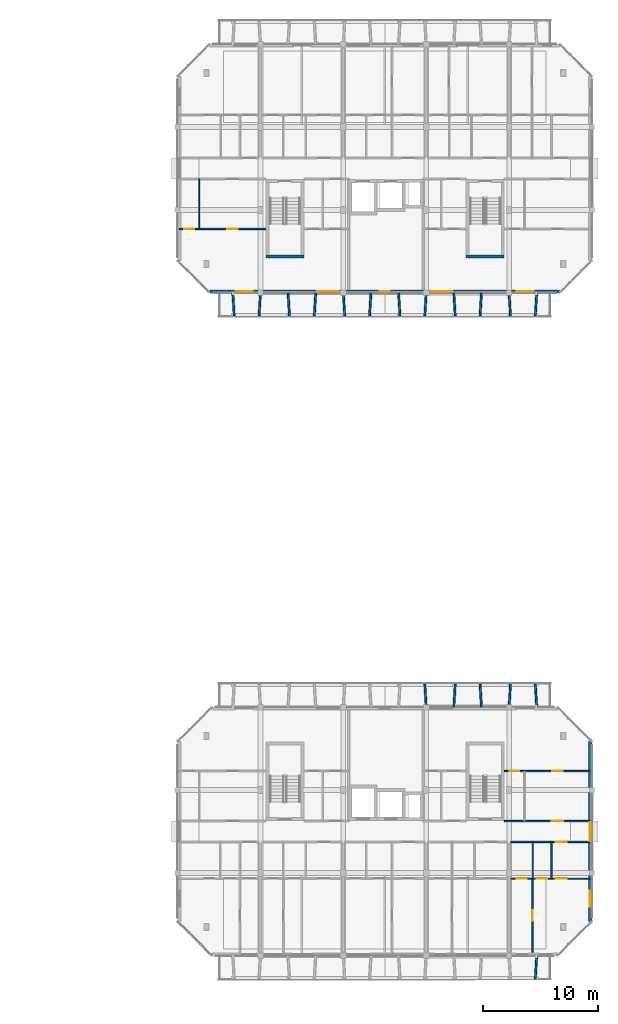
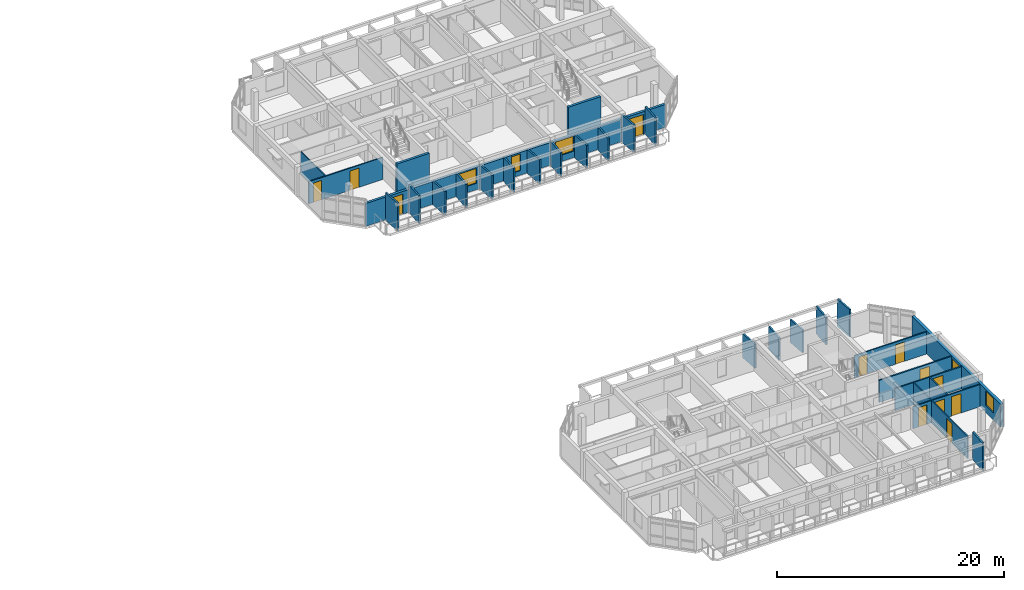
# One storey, part 18 of 30: 31 walls, 12 doors, 5 windows, 17 openings.
"""IFC4 building model written with IfcOpenShell, lengths in metres."""

from ifc_helpers import new_model, si_unit, direction, frame, frame_2d, origin, place, context, subcontext, project, spatial, rectangle, extrude, material, layer, layer_set, type_object, element, fill, save


model = new_model("IFC4")

# Units and contexts
model_context = context("Model", 3, precision=1e-05, world=origin(), true_north=direction((0.0, 1.0)))
body_context = subcontext(model_context, "Body", "Model", "MODEL_VIEW")
ifc_project = project(units=[si_unit("LENGTHUNIT", "METRE"), si_unit("AREAUNIT", "SQUARE_METRE"), si_unit("VOLUMEUNIT", "CUBIC_METRE"), si_unit("PLANEANGLEUNIT", "RADIAN"), si_unit("MASSUNIT", "GRAM", prefix="KILO")], contexts=[model_context])

# Site, building, storey
site_placement = place(None, origin())
site = spatial("IfcSite", under=ifc_project, at=site_placement, CompositionType="ELEMENT")
building_placement = place(site_placement, origin())
building = spatial("IfcBuilding", under=site, at=building_placement, Name="Ochrevale Crest", CompositionType="ELEMENT")
storey_placement = place(building_placement, frame((0.0, 0.0, 33.89990234375)))
storey = spatial("IfcBuildingStorey", under=building, at=storey_placement, Name="L10", CompositionType="ELEMENT", Elevation=33.89990234375)

# Wall, opening, door
ifc_material_1 = material(Name="Gypsum plasterboard", Category="gypsum")
ifc_layer_1 = layer(ifc_material_1, 0.139892578125)
ifc_layer_set_1 = layer_set([ifc_layer_1], Name="Gypsum plasterboard")
wall_type_1 = type_object("IfcWallType", Name="WL-COR-140", PredefinedType="PARTITIONING", material=ifc_layer_set_1)
wall_1_placement = place(storey_placement, frame((158.5400390625, 24.300048828125, 0.0), z_axis=(0.0, 0.0, 1.0), x_axis=(1.0, 0.0, 0.0)))
wall_1 = element("IfcWall", 1, at=wall_1_placement, inside=storey, type_object=wall_type_1, Name="Apartment C-L10-U5 corridor wall", PredefinedType="PARTITIONING", context=body_context, shape_type="SweptSolid", body=[
    extrude(rectangle(XDim=6.919921875, YDim=0.139892578125, at=frame_2d((3.4599609375, 0.0))), origin(), (0.0, 0.0, 1.0), 2.380126953125),
])
opening_1_placement = place(wall_1_placement, frame((3.89501953125, 0.0, 0.0)))
opening_1 = element("IfcOpeningElement", 2, at=opening_1_placement, cuts=wall_1, Name="Opening FD01", PredefinedType="OPENING", context=body_context, shape_type="SweptSolid", body=[
    extrude(rectangle(XDim=0.97998046875, YDim=2.10009765625, at=frame_2d((0.489990234375, 1.050048828125))), frame((0.0, 0.080078125, 0.0), z_axis=(0.0, -1.0, 0.0), x_axis=(1.0, 0.0, 0.0)), (0.0, 0.0, 1.0), 0.159912109375),
])
ifc_material_2 = material(Name="Solid-core FSC hardwood", Category="wood")
door_type_1 = type_object("IfcDoorType", Name="DR-APT-950", OperationType="NOTDEFINED", PredefinedType="DOOR", material=ifc_material_2)
door_1_placement = place(opening_1_placement, origin())
door_1 = element("IfcDoor", 3, at=door_1_placement, inside=storey, type_object=door_type_1, Name="Apartment C-L10-U5 entrance door", OperationType="SINGLE_SWING_LEFT", OverallHeight=2.10009765625, OverallWidth=0.97998046875, PredefinedType="DOOR", context=body_context, shape_type="SweptSolid", body=[
    extrude(rectangle(XDim=0.97998046875, YDim=2.10009765625, at=frame_2d((0.489990234375, 1.050048828125))), frame((0.0, 0.02490234375, 0.0), z_axis=(0.0, -1.0, 0.0), x_axis=(1.0, 0.0, 0.0)), (0.0, 0.0, 1.0), 0.050048828125),
])
fill(opening_1, door_1)

wall_2_placement = place(storey_placement, frame((157.989990234375, 26.10009765625, 0.0), z_axis=(0.0, 0.0, 1.0), x_axis=(1.0, 0.0, 0.0)))
wall_2 = element("IfcWall", 4, at=wall_2_placement, inside=storey, type_object=wall_type_1, Name="Suite C-L10-CE corridor wall", PredefinedType="PARTITIONING", context=body_context, shape_type="SweptSolid", body=[
    extrude(rectangle(XDim=7.469970703125, YDim=0.139892578125, at=frame_2d((3.73486328125, 0.0))), origin(), (0.0, 0.0, 1.0), 2.380126953125),
])
opening_2_placement = place(wall_2_placement, frame((4.1201171875, 0.0, 0.0)))
opening_2 = element("IfcOpeningElement", 5, at=opening_2_placement, cuts=wall_2, Name="Opening FD01", PredefinedType="OPENING", context=body_context, shape_type="SweptSolid", body=[
    extrude(rectangle(XDim=0.97998046875, YDim=2.10009765625, at=frame_2d((0.489990234375, 1.050048828125))), frame((0.0, 0.080078125, 0.0), z_axis=(0.0, -1.0, 0.0), x_axis=(1.0, 0.0, 0.0)), (0.0, 0.0, 1.0), 0.159912109375),
])
door_2_placement = place(opening_2_placement, origin())
door_2 = element("IfcDoor", 6, at=door_2_placement, inside=storey, type_object=door_type_1, Name="Suite C-L10-CE entrance door", OperationType="SINGLE_SWING_LEFT", OverallHeight=2.10009765625, OverallWidth=0.97998046875, PredefinedType="DOOR", context=body_context, shape_type="SweptSolid", body=[
    extrude(rectangle(XDim=0.97998046875, YDim=2.10009765625, at=frame_2d((0.489990234375, 1.050048828125))), frame((0.0, 0.02490234375, 0.0), z_axis=(0.0, -1.0, 0.0), x_axis=(1.0, 0.0, 0.0)), (0.0, 0.0, 1.0), 0.050048828125),
])
fill(opening_2, door_2)

# Walls
ifc_material_3 = material(Name="Precast concrete C50/60", Category="concrete")
ifc_layer_2 = layer(ifc_material_3, 0.2548828125)
ifc_layer_set_2 = layer_set([ifc_layer_2], Name="Precast concrete C50/60")
wall_type_2 = type_object("IfcWallType", Name="WL-CORE-255", PredefinedType="SHEAR", material=ifc_layer_set_2)
for number, where, z_axis, x_axis, name in (
    (7, (137.2724609375, 75.14990234375, 0.0), (0.0, 0.0, 1.0), (1.0, 0.0, 0.0), "Block D L10 Stair 1 precast core shear wall S"),
    (8, (154.672607421875, 75.14990234375, 0.0), (0.0, 0.0, 1.0), (1.0, 0.0, 0.0), "Block D L10 Stair 2 precast core shear wall S"),
):
    element("IfcWall", number, at=place(storey_placement, frame(where, z_axis=z_axis, x_axis=x_axis)), inside=storey, type_object=wall_type_2, Name=name, PredefinedType="SHEAR", context=body_context, shape_type="SweptSolid", body=[
        extrude(rectangle(XDim=3.304931640625, YDim=0.2548828125, at=frame_2d((1.65234375, 0.0))), origin(), (0.0, 0.0, 1.0), 3.150146484375),
    ])

# Wall, openings, windows
ifc_material_4 = material(Name="Clay face brickwork", Category="masonry")
ifc_layer_3 = layer(ifc_material_4, 0.2900390625)
ifc_layer_set_3 = layer_set([ifc_layer_3], Name="Clay face brickwork")
wall_type_3 = type_object("IfcWallType", Name="WL-EXT-BRICK-290", PredefinedType="SOLIDWALL", material=ifc_layer_set_3)
wall_3_placement = place(storey_placement, frame((165.455078125, 17.39990234375, 0.0), z_axis=(0.0, 0.0, 1.0), x_axis=(0.0, 1.0, 0.0)))
wall_3 = element("IfcWall", 9, at=wall_3_placement, inside=storey, type_object=wall_type_3, Name="Block C L10 external facade wall E3", PredefinedType="SOLIDWALL", context=body_context, shape_type="SweptSolid", body=[
    extrude(rectangle(XDim=15.60009765625, YDim=0.2900390625, at=frame_2d((7.800048828125, 0.0))), origin(), (0.0, 0.0, 1.0), 2.47998046875),
])
opening_3_placement = place(wall_3_placement, frame((6.97509765625, 0.0, 1.050048828125)))
opening_3 = element("IfcOpeningElement", 10, at=opening_3_placement, cuts=wall_3, Name="Opening W19", PredefinedType="OPENING", context=body_context, shape_type="SweptSolid", body=[
    extrude(rectangle(XDim=1.64990234375, YDim=1.14990234375, at=frame_2d((0.824951171875, 0.574951171875))), frame((0.0, 0.155029296875, 0.0), z_axis=(0.0, -1.0, 0.0), x_axis=(1.0, 0.0, 0.0)), (0.0, 0.0, 1.0), 0.31005859375),
])
opening_4_placement = place(wall_3_placement, frame((1.2548828125, 0.0, 0.75)))
opening_4 = element("IfcOpeningElement", 11, at=opening_4_placement, cuts=wall_3, Name="Opening W31", PredefinedType="OPENING", context=body_context, shape_type="SweptSolid", body=[
    extrude(rectangle(XDim=1.419921875, YDim=1.60009765625, at=frame_2d((0.7099609375, 0.800048828125))), frame((0.0, 0.155029296875, 0.0), z_axis=(0.0, -1.0, 0.0), x_axis=(1.0, 0.0, 0.0)), (0.0, 0.0, 1.0), 0.31005859375),
])
ifc_material_5 = material(Name="Anodised aluminium 6063-T5 and low-E double glazing", Category="aluminium")
window_type_1 = type_object("IfcWindowType", Name="WIN-W19", PartitioningType="SINGLE_PANEL", PredefinedType="WINDOW", material=ifc_material_5)
window_1_placement = place(opening_3_placement, origin())
window_1 = element("IfcWindow", 12, at=window_1_placement, inside=storey, type_object=window_type_1, Name="Block C L10 corridor end daylight window E", OverallHeight=1.14990234375, OverallWidth=1.64990234375, PartitioningType="SINGLE_PANEL", PredefinedType="WINDOW", context=body_context, shape_type="SweptSolid", body=[
    extrude(rectangle(XDim=1.64990234375, YDim=1.14990234375, at=frame_2d((0.824951171875, 0.574951171875))), frame((0.0, 0.030029296875, 0.0), z_axis=(0.0, -1.0, 0.0), x_axis=(1.0, 0.0, 0.0)), (0.0, 0.0, 1.0), 0.06005859375),
])
fill(opening_3, window_1)
window_type_2 = type_object("IfcWindowType", Name="WIN-W31", PartitioningType="SINGLE_PANEL", PredefinedType="WINDOW", material=ifc_material_5)
window_2_placement = place(opening_4_placement, origin())
window_2 = element("IfcWindow", 13, at=window_2_placement, inside=storey, type_object=window_type_2, Name="Block C L10 side suite window E", OverallHeight=1.60009765625, OverallWidth=1.419921875, PartitioningType="SINGLE_PANEL", PredefinedType="WINDOW", context=body_context, shape_type="SweptSolid", body=[
    extrude(rectangle(XDim=1.419921875, YDim=1.60009765625, at=frame_2d((0.7099609375, 0.800048828125))), frame((0.0, 0.030029296875, 0.0), z_axis=(0.0, -1.0, 0.0), x_axis=(1.0, 0.0, 0.0)), (0.0, 0.0, 1.0), 0.06005859375),
])
fill(opening_4, window_2)

# Wall, openings, doors, windows
ifc_material_6 = material(Name="Precast concrete C40/50", Category="concrete")
ifc_layer_4 = layer(ifc_material_6, 0.25)
ifc_layer_set_4 = layer_set([ifc_layer_4], Name="Precast concrete C40/50")
wall_type_4 = type_object("IfcWallType", Name="WL-EXT-GOLD-250", PredefinedType="SOLIDWALL", material=ifc_layer_set_4)
wall_4_placement = place(storey_placement, frame((132.39990234375, 72.125, 0.0), z_axis=(0.0, 0.0, 1.0), x_axis=(1.0, 0.0, 0.0)))
wall_4 = element("IfcWall", 14, at=wall_4_placement, inside=storey, type_object=wall_type_4, Name="Block D L10 external facade wall E1", PredefinedType="SOLIDWALL", context=body_context, shape_type="SweptSolid", body=[
    extrude(rectangle(XDim=30.400146484375, YDim=0.25, at=frame_2d((15.2001953125, 0.0))), origin(), (0.0, 0.0, 1.0), 2.4501953125),
])
opening_5_placement = place(wall_4_placement, frame((3.75, 0.0, 0.0), z_axis=(0.0, 0.0, 1.0), x_axis=(-1.0, 0.0, 0.0)))
opening_5 = element("IfcOpeningElement", 15, at=opening_5_placement, cuts=wall_4, Name="Opening BD01", PredefinedType="OPENING", context=body_context, shape_type="SweptSolid", body=[
    extrude(rectangle(XDim=1.5, YDim=2.14990234375, at=frame_2d((0.75, 1.074951171875))), frame((0.0, 0.135009765625, 0.0), z_axis=(0.0, -1.0, 0.0), x_axis=(1.0, 0.0, 0.0)), (0.0, 0.0, 1.0), 0.27001953125),
])
opening_6_placement = place(wall_4_placement, frame((28.14990234375, 0.0, 0.0), z_axis=(0.0, 0.0, 1.0), x_axis=(-1.0, 0.0, 0.0)))
opening_6 = element("IfcOpeningElement", 16, at=opening_6_placement, cuts=wall_4, Name="Opening BD01", PredefinedType="OPENING", context=body_context, shape_type="SweptSolid", body=[
    extrude(rectangle(XDim=1.5, YDim=2.14990234375, at=frame_2d((0.75, 1.074951171875))), frame((0.0, 0.135009765625, 0.0), z_axis=(0.0, -1.0, 0.0), x_axis=(1.0, 0.0, 0.0)), (0.0, 0.0, 1.0), 0.27001953125),
])
opening_7_placement = place(wall_4_placement, frame((14.75, 0.0, 0.5)))
opening_7 = element("IfcOpeningElement", 17, at=opening_7_placement, cuts=wall_4, Name="Opening W17", PredefinedType="OPENING", context=body_context, shape_type="SweptSolid", body=[
    extrude(rectangle(XDim=0.89990234375, YDim=1.800048828125, at=frame_2d((0.449951171875, 0.89990234375))), frame((0.0, 0.135009765625, 0.0), z_axis=(0.0, -1.0, 0.0), x_axis=(1.0, 0.0, 0.0)), (0.0, 0.0, 1.0), 0.27001953125),
])
opening_8_placement = place(wall_4_placement, frame((19.202392578125, 0.0, 0.699951171875)))
opening_8 = element("IfcOpeningElement", 18, at=opening_8_placement, cuts=wall_4, Name="Opening W11", PredefinedType="OPENING", context=body_context, shape_type="SweptSolid", body=[
    extrude(rectangle(XDim=1.860107421875, YDim=1.60009765625, at=frame_2d((0.93017578125, 0.800048828125))), frame((0.0, 0.135009765625, 0.0), z_axis=(0.0, -1.0, 0.0), x_axis=(1.0, 0.0, 0.0)), (0.0, 0.0, 1.0), 0.27001953125),
])
opening_9_placement = place(wall_4_placement, frame((9.33740234375, 0.0, 0.699951171875)))
opening_9 = element("IfcOpeningElement", 19, at=opening_9_placement, cuts=wall_4, Name="Opening W11", PredefinedType="OPENING", context=body_context, shape_type="SweptSolid", body=[
    extrude(rectangle(XDim=1.860107421875, YDim=1.60009765625, at=frame_2d((0.93017578125, 0.800048828125))), frame((0.0, 0.135009765625, 0.0), z_axis=(0.0, -1.0, 0.0), x_axis=(1.0, 0.0, 0.0)), (0.0, 0.0, 1.0), 0.27001953125),
])
ifc_material_7 = material(Name="Anodised aluminium 6063-T5 and toughened glass", Category="aluminium")
door_type_2 = type_object("IfcDoorType", Name="DR-BAL-1500", OperationType="NOTDEFINED", PredefinedType="DOOR", material=ifc_material_7)
door_3_placement = place(opening_5_placement, origin())
door_3 = element("IfcDoor", 20, at=door_3_placement, inside=storey, type_object=door_type_2, Name="Block D L10 balcony door S1", OperationType="SINGLE_SWING_LEFT", OverallHeight=2.14990234375, OverallWidth=1.5, PredefinedType="DOOR", context=body_context, shape_type="SweptSolid", body=[
    extrude(rectangle(XDim=1.5, YDim=2.14990234375, at=frame_2d((0.75, 1.074951171875))), frame((0.0, 0.02490234375, 0.0), z_axis=(0.0, -1.0, 0.0), x_axis=(1.0, 0.0, 0.0)), (0.0, 0.0, 1.0), 0.050048828125),
])
fill(opening_5, door_3)
door_4_placement = place(opening_6_placement, origin())
door_4 = element("IfcDoor", 21, at=door_4_placement, inside=storey, type_object=door_type_2, Name="Block D L10 balcony door S5", OperationType="SINGLE_SWING_RIGHT", OverallHeight=2.14990234375, OverallWidth=1.5, PredefinedType="DOOR", context=body_context, shape_type="SweptSolid", body=[
    extrude(rectangle(XDim=1.5, YDim=2.14990234375, at=frame_2d((0.75, 1.074951171875))), frame((0.0, 0.02490234375, 0.0), z_axis=(0.0, -1.0, 0.0), x_axis=(1.0, 0.0, 0.0)), (0.0, 0.0, 1.0), 0.050048828125),
])
fill(opening_6, door_4)
window_type_3 = type_object("IfcWindowType", Name="WIN-W11", PartitioningType="SINGLE_PANEL", PredefinedType="WINDOW", material=ifc_material_5)
window_3_placement = place(opening_8_placement, origin())
window_3 = element("IfcWindow", 22, at=window_3_placement, inside=storey, type_object=window_type_3, Name="Block D L10 Suite D-L10-ME Garden Alcove Studio window", OverallHeight=1.60009765625, OverallWidth=1.860107421875, PartitioningType="SINGLE_PANEL", PredefinedType="WINDOW", context=body_context, shape_type="SweptSolid", body=[
    extrude(rectangle(XDim=1.860107421875, YDim=1.60009765625, at=frame_2d((0.93017578125, 0.800048828125))), frame((0.0, 0.030029296875, 0.0), z_axis=(0.0, -1.0, 0.0), x_axis=(1.0, 0.0, 0.0)), (0.0, 0.0, 1.0), 0.06005859375),
])
fill(opening_8, window_3)
window_4_placement = place(opening_9_placement, origin())
window_4 = element("IfcWindow", 23, at=window_4_placement, inside=storey, type_object=window_type_3, Name="Block D L10 Suite D-L10-MW Courtyard Studio Living window", OverallHeight=1.60009765625, OverallWidth=1.860107421875, PartitioningType="SINGLE_PANEL", PredefinedType="WINDOW", context=body_context, shape_type="SweptSolid", body=[
    extrude(rectangle(XDim=1.860107421875, YDim=1.60009765625, at=frame_2d((0.93017578125, 0.800048828125))), frame((0.0, 0.030029296875, 0.0), z_axis=(0.0, -1.0, 0.0), x_axis=(1.0, 0.0, 0.0)), (0.0, 0.0, 1.0), 0.06005859375),
])
fill(opening_9, window_4)
window_type_4 = type_object("IfcWindowType", Name="WIN-W17", PartitioningType="SINGLE_PANEL", PredefinedType="WINDOW", material=ifc_material_5)
window_5_placement = place(opening_7_placement, origin())
window_5 = element("IfcWindow", 24, at=window_5_placement, inside=storey, type_object=window_type_4, Name="Block D L10 core lancet window", OverallHeight=1.800048828125, OverallWidth=0.89990234375, PartitioningType="SINGLE_PANEL", PredefinedType="WINDOW", context=body_context, shape_type="SweptSolid", body=[
    extrude(rectangle(XDim=0.89990234375, YDim=1.800048828125, at=frame_2d((0.449951171875, 0.89990234375))), frame((0.0, 0.030029296875, 0.0), z_axis=(0.0, -1.0, 0.0), x_axis=(1.0, 0.0, 0.0)), (0.0, 0.0, 1.0), 0.06005859375),
])
fill(opening_7, window_5)

# Walls
ifc_layer_5 = layer(ifc_material_6, 0.1650390625)
ifc_layer_set_5 = layer_set([ifc_layer_5], Name="Precast concrete C40/50")
wall_type_5 = type_object("IfcWallType", Name="WL-HC-CHEEK-165", PredefinedType="ELEMENTEDWALL", material=ifc_layer_set_5)
wall_5_placement = place(storey_placement, frame((160.800048828125, 14.3798828125, 0.0), z_axis=(0.0, 0.0, 1.0), x_axis=(-0.061170732449, -0.998127317276, 0.0)))
element("IfcWall", 25, at=wall_5_placement, inside=storey, type_object=wall_type_5, Name="Block C L10 S precast honeycomb cheek 12", PredefinedType="ELEMENTEDWALL", context=body_context, shape_type="SweptSolid", body=[
    extrude(rectangle(XDim=1.963623046875, YDim=0.1650390625, at=frame_2d((0.98193359375, 0.0))), origin(), (0.0, 0.0, 1.0), 2.9501953125),
])
wall_6_placement = place(storey_placement, frame((151.199951171875, 36.02001953125, 0.0), z_axis=(0.0, 0.0, 1.0), x_axis=(-0.061046865508, 0.998134900808, 0.0)))
element("IfcWall", 26, at=wall_6_placement, inside=storey, type_object=wall_type_5, Name="Block C L10 N precast honeycomb cheek 8", PredefinedType="ELEMENTEDWALL", context=body_context, shape_type="SweptSolid", body=[
    extrude(rectangle(XDim=1.963623046875, YDim=0.1650390625, at=frame_2d((0.98193359375, 0.0))), origin(), (0.0, 0.0, 1.0), 2.580078125),
])
for number, where, z_axis, x_axis, name in (
    (27, (153.60009765625, 36.02001953125, 0.0), (0.0, 0.0, 1.0), (0.061046865508, 0.998134900808, 0.0), "Block C L10 N precast honeycomb cheek 9"),
    (28, (156.0, 36.02001953125, 0.0), (0.0, 0.0, 1.0), (-0.061170732449, 0.998127317276, 0.0), "Block C L10 N precast honeycomb cheek 10"),
):
    element("IfcWall", number, at=place(storey_placement, frame(where, z_axis=z_axis, x_axis=x_axis)), inside=storey, type_object=wall_type_5, Name=name, PredefinedType="ELEMENTEDWALL", context=body_context, shape_type="SweptSolid", body=[
        extrude(rectangle(XDim=1.963623046875, YDim=0.1650390625, at=frame_2d((0.98193359375, 0.0))), origin(), (0.0, 0.0, 1.0), 2.4501953125),
    ])
for number, where, z_axis, x_axis, name in (
    (29, (158.39990234375, 36.02001953125, 0.0), (0.0, 0.0, 1.0), (0.061170732449, 0.998127317276, 0.0), "Block C L10 N precast honeycomb cheek 11"),
    (30, (160.800048828125, 36.02001953125, 0.0), (0.0, 0.0, 1.0), (-0.061170732449, 0.998127317276, 0.0), "Block C L10 N precast honeycomb cheek 12"),
    (31, (134.39990234375, 71.97998046875, 0.0), (0.0, 0.0, 1.0), (0.061170732449, -0.998127317276, 0.0), "Block D L10 S precast honeycomb cheek 1"),
    (32, (136.800048828125, 71.97998046875, 0.0), (0.0, 0.0, 1.0), (-0.061170732449, -0.998127317276, 0.0), "Block D L10 S precast honeycomb cheek 2"),
):
    element("IfcWall", number, at=place(storey_placement, frame(where, z_axis=z_axis, x_axis=x_axis)), inside=storey, type_object=wall_type_5, Name=name, PredefinedType="ELEMENTEDWALL", context=body_context, shape_type="SweptSolid", body=[
        extrude(rectangle(XDim=1.963623046875, YDim=0.1650390625, at=frame_2d((0.98193359375, 0.0))), origin(), (0.0, 0.0, 1.0), 2.9501953125),
    ])
for number, where, z_axis, x_axis, name in (
    (33, (139.199951171875, 71.97998046875, 0.0), (0.0, 0.0, 1.0), (0.061170732449, -0.998127317276, 0.0), "Block D L10 S precast honeycomb cheek 3"),
    (34, (141.60009765625, 71.97998046875, 0.0), (0.0, 0.0, 1.0), (-0.061170732449, -0.998127317276, 0.0), "Block D L10 S precast honeycomb cheek 4"),
):
    element("IfcWall", number, at=place(storey_placement, frame(where, z_axis=z_axis, x_axis=x_axis)), inside=storey, type_object=wall_type_5, Name=name, PredefinedType="ELEMENTEDWALL", context=body_context, shape_type="SweptSolid", body=[
        extrude(rectangle(XDim=1.963623046875, YDim=0.1650390625, at=frame_2d((0.98193359375, 0.0))), origin(), (0.0, 0.0, 1.0), 2.530029296875),
    ])
for number, where, z_axis, x_axis, name in (
    (35, (144.0, 71.97998046875, 0.0), (0.0, 0.0, 1.0), (0.061170732449, -0.998127317276, 0.0), "Block D L10 S precast honeycomb cheek 5"),
    (36, (146.39990234375, 71.97998046875, 0.0), (0.0, 0.0, 1.0), (-0.061046865508, -0.998134900808, 0.0), "Block D L10 S precast honeycomb cheek 6"),
    (37, (148.800048828125, 71.97998046875, 0.0), (0.0, 0.0, 1.0), (0.061046865508, -0.998134900808, 0.0), "Block D L10 S precast honeycomb cheek 7"),
    (38, (151.199951171875, 71.97998046875, 0.0), (0.0, 0.0, 1.0), (-0.061046865508, -0.998134900808, 0.0), "Block D L10 S precast honeycomb cheek 8"),
):
    element("IfcWall", number, at=place(storey_placement, frame(where, z_axis=z_axis, x_axis=x_axis)), inside=storey, type_object=wall_type_5, Name=name, PredefinedType="ELEMENTEDWALL", context=body_context, shape_type="SweptSolid", body=[
        extrude(rectangle(XDim=1.963623046875, YDim=0.1650390625, at=frame_2d((0.98193359375, 0.0))), origin(), (0.0, 0.0, 1.0), 2.580078125),
    ])
for number, where, z_axis, x_axis, name in (
    (39, (153.60009765625, 71.97998046875, 0.0), (0.0, 0.0, 1.0), (0.061046865508, -0.998134900808, 0.0), "Block D L10 S precast honeycomb cheek 9"),
    (40, (156.0, 71.97998046875, 0.0), (0.0, 0.0, 1.0), (-0.061170732449, -0.998127317276, 0.0), "Block D L10 S precast honeycomb cheek 10"),
):
    element("IfcWall", number, at=place(storey_placement, frame(where, z_axis=z_axis, x_axis=x_axis)), inside=storey, type_object=wall_type_5, Name=name, PredefinedType="ELEMENTEDWALL", context=body_context, shape_type="SweptSolid", body=[
        extrude(rectangle(XDim=1.963623046875, YDim=0.1650390625, at=frame_2d((0.98193359375, 0.0))), origin(), (0.0, 0.0, 1.0), 2.4501953125),
    ])
for number, where, z_axis, x_axis, name in (
    (41, (158.39990234375, 71.97998046875, 0.0), (0.0, 0.0, 1.0), (0.061170732449, -0.998127317276, 0.0), "Block D L10 S precast honeycomb cheek 11"),
    (42, (160.800048828125, 71.97998046875, 0.0), (0.0, 0.0, 1.0), (-0.061170732449, -0.998127317276, 0.0), "Block D L10 S precast honeycomb cheek 12"),
):
    element("IfcWall", number, at=place(storey_placement, frame(where, z_axis=z_axis, x_axis=x_axis)), inside=storey, type_object=wall_type_5, Name=name, PredefinedType="ELEMENTEDWALL", context=body_context, shape_type="SweptSolid", body=[
        extrude(rectangle(XDim=1.963623046875, YDim=0.1650390625, at=frame_2d((0.98193359375, 0.0))), origin(), (0.0, 0.0, 1.0), 2.9501953125),
    ])
ifc_layer_6 = layer(ifc_material_1, 0.1201171875)
ifc_layer_set_6 = layer_set([ifc_layer_6], Name="Gypsum plasterboard")
wall_type_6 = type_object("IfcWallType", Name="WL-PART-120", PredefinedType="PARTITIONING", material=ifc_layer_set_6)
wall_7_placement = place(storey_placement, frame((162.10009765625, 21.10009765625, 0.0), z_axis=(0.0, 0.0, 1.0), x_axis=(0.0, 1.0, 0.0)))
element("IfcWall", 43, at=wall_7_placement, inside=storey, type_object=wall_type_6, Name="Apartment C-L10-U5 kitchen-foyer wall", PredefinedType="PARTITIONING", context=body_context, shape_type="SweptSolid", body=[
    extrude(rectangle(XDim=3.199951171875, YDim=0.1201171875, at=frame_2d((1.60009765625, 0.0))), origin(), (0.0, 0.0, 1.0), 2.380126953125),
])

# Wall, openings, doors
wall_8_placement = place(storey_placement, frame((158.5400390625, 21.10009765625, 0.0), z_axis=(0.0, 0.0, 1.0), x_axis=(1.0, 0.0, 0.0)))
wall_8 = element("IfcWall", 44, at=wall_8_placement, inside=storey, type_object=wall_type_6, Name="Apartment C-L10-U5 central partition", PredefinedType="PARTITIONING", context=body_context, shape_type="SweptSolid", body=[
    extrude(rectangle(XDim=6.919921875, YDim=0.1201171875, at=frame_2d((3.4599609375, 0.0))), origin(), (0.0, 0.0, 1.0), 2.380126953125),
])
opening_10_placement = place(wall_8_placement, frame((1.380126953125, 0.0, 0.0), z_axis=(0.0, 0.0, 1.0), x_axis=(-1.0, 0.0, 0.0)))
opening_10 = element("IfcOpeningElement", 45, at=opening_10_placement, cuts=wall_8, Name="Opening ID01", PredefinedType="OPENING", context=body_context, shape_type="SweptSolid", body=[
    extrude(rectangle(XDim=0.85009765625, YDim=2.080078125, at=frame_2d((0.425048828125, 1.0400390625))), frame((0.0, 0.070068359375, 0.0), z_axis=(0.0, -1.0, 0.0), x_axis=(1.0, 0.0, 0.0)), (0.0, 0.0, 1.0), 0.14013671875),
])
opening_11_placement = place(wall_8_placement, frame((2.284912109375, 0.0, 0.0)))
opening_11 = element("IfcOpeningElement", 46, at=opening_11_placement, cuts=wall_8, Name="Opening ID02", PredefinedType="OPENING", context=body_context, shape_type="SweptSolid", body=[
    extrude(rectangle(XDim=0.89990234375, YDim=2.080078125, at=frame_2d((0.449951171875, 1.0400390625))), frame((0.0, 0.070068359375, 0.0), z_axis=(0.0, -1.0, 0.0), x_axis=(1.0, 0.0, 0.0)), (0.0, 0.0, 1.0), 0.14013671875),
])
opening_12_placement = place(wall_8_placement, frame((4.85986328125, 0.0, 0.0), z_axis=(0.0, 0.0, 1.0), x_axis=(-1.0, 0.0, 0.0)))
opening_12 = element("IfcOpeningElement", 47, at=opening_12_placement, cuts=wall_8, Name="Opening ID06", PredefinedType="OPENING", context=body_context, shape_type="SweptSolid", body=[
    extrude(rectangle(XDim=0.949951171875, YDim=2.080078125, at=frame_2d((0.47509765625, 1.0400390625))), frame((0.0, 0.070068359375, 0.0), z_axis=(0.0, -1.0, 0.0), x_axis=(1.0, 0.0, 0.0)), (0.0, 0.0, 1.0), 0.14013671875),
])
door_type_3 = type_object("IfcDoorType", Name="DR-INT-900", OperationType="NOTDEFINED", PredefinedType="DOOR", material=ifc_material_2)
door_5_placement = place(opening_11_placement, origin())
door_5 = element("IfcDoor", 48, at=door_5_placement, inside=storey, type_object=door_type_3, Name="Apartment C-L10-U5 Kitchen door", OperationType="SINGLE_SWING_LEFT", OverallHeight=2.080078125, OverallWidth=0.89990234375, PredefinedType="DOOR", context=body_context, shape_type="SweptSolid", body=[
    extrude(rectangle(XDim=0.89990234375, YDim=2.080078125, at=frame_2d((0.449951171875, 1.0400390625))), frame((0.0, 0.02490234375, 0.0), z_axis=(0.0, -1.0, 0.0), x_axis=(1.0, 0.0, 0.0)), (0.0, 0.0, 1.0), 0.050048828125),
])
fill(opening_11, door_5)
door_type_4 = type_object("IfcDoorType", Name="DR-INT-950", OperationType="NOTDEFINED", PredefinedType="DOOR", material=ifc_material_2)
door_6_placement = place(opening_12_placement, origin())
door_6 = element("IfcDoor", 49, at=door_6_placement, inside=storey, type_object=door_type_4, Name="Apartment C-L10-U5 Living Foyer door", OperationType="SINGLE_SWING_RIGHT", OverallHeight=2.080078125, OverallWidth=0.949951171875, PredefinedType="DOOR", context=body_context, shape_type="SweptSolid", body=[
    extrude(rectangle(XDim=0.949951171875, YDim=2.080078125, at=frame_2d((0.47509765625, 1.0400390625))), frame((0.0, 0.02490234375, 0.0), z_axis=(0.0, -1.0, 0.0), x_axis=(1.0, 0.0, 0.0)), (0.0, 0.0, 1.0), 0.050048828125),
])
fill(opening_12, door_6)
door_type_5 = type_object("IfcDoorType", Name="DR-WC-850", OperationType="NOTDEFINED", PredefinedType="DOOR", material=ifc_material_2)
door_7_placement = place(opening_10_placement, origin())
door_7 = element("IfcDoor", 50, at=door_7_placement, inside=storey, type_object=door_type_5, Name="Apartment C-L10-U5 Bathroom door", OperationType="SINGLE_SWING_RIGHT", OverallHeight=2.080078125, OverallWidth=0.85009765625, PredefinedType="DOOR", context=body_context, shape_type="SweptSolid", body=[
    extrude(rectangle(XDim=0.85009765625, YDim=2.080078125, at=frame_2d((0.425048828125, 1.0400390625))), frame((0.0, 0.02490234375, 0.0), z_axis=(0.0, -1.0, 0.0), x_axis=(1.0, 0.0, 0.0)), (0.0, 0.0, 1.0), 0.050048828125),
])
fill(opening_10, door_7)

# Wall, opening, door
wall_9_placement = place(storey_placement, frame((160.449951171875, 14.699951171875, 0.0), z_axis=(0.0, 0.0, 1.0), x_axis=(0.0, 1.0, 0.0)))
wall_9 = element("IfcWall", 51, at=wall_9_placement, inside=storey, type_object=wall_type_6, Name="Apartment C-L10-U5 bedroom partition", PredefinedType="PARTITIONING", context=body_context, shape_type="SweptSolid", body=[
    extrude(rectangle(XDim=6.400146484375, YDim=0.1201171875, at=frame_2d((3.2001953125, 0.0))), origin(), (0.0, 0.0, 1.0), 2.380126953125),
])
opening_13_placement = place(wall_9_placement, frame((2.75, 0.0, 0.0)))
opening_13 = element("IfcOpeningElement", 52, at=opening_13_placement, cuts=wall_9, Name="Opening ID02", PredefinedType="OPENING", context=body_context, shape_type="SweptSolid", body=[
    extrude(rectangle(XDim=0.89990234375, YDim=2.080078125, at=frame_2d((0.449951171875, 1.0400390625))), frame((0.0, 0.070068359375, 0.0), z_axis=(0.0, -1.0, 0.0), x_axis=(1.0, 0.0, 0.0)), (0.0, 0.0, 1.0), 0.14013671875),
])
door_8_placement = place(opening_13_placement, origin())
door_8 = element("IfcDoor", 53, at=door_8_placement, inside=storey, type_object=door_type_3, Name="Apartment C-L10-U5 Twin Bedroom door", OperationType="SINGLE_SWING_LEFT", OverallHeight=2.080078125, OverallWidth=0.89990234375, PredefinedType="DOOR", context=body_context, shape_type="SweptSolid", body=[
    extrude(rectangle(XDim=0.89990234375, YDim=2.080078125, at=frame_2d((0.449951171875, 1.0400390625))), frame((0.0, 0.02490234375, 0.0), z_axis=(0.0, -1.0, 0.0), x_axis=(1.0, 0.0, 0.0)), (0.0, 0.0, 1.0), 0.050048828125),
])
fill(opening_13, door_8)

# Wall, openings, doors
wall_10_placement = place(storey_placement, frame((157.989990234375, 30.449951171875, 0.0), z_axis=(0.0, 0.0, 1.0), x_axis=(1.0, 0.0, 0.0)))
wall_10 = element("IfcWall", 54, at=wall_10_placement, inside=storey, type_object=wall_type_6, Name="Suite C-L10-CE internal wall", PredefinedType="PARTITIONING", context=body_context, shape_type="SweptSolid", body=[
    extrude(rectangle(XDim=7.469970703125, YDim=0.1201171875, at=frame_2d((3.73486328125, 0.0))), origin(), (0.0, 0.0, 1.0), 2.380126953125),
])
opening_14_placement = place(wall_10_placement, frame((1.300048828125, 0.0, 0.0), z_axis=(0.0, 0.0, 1.0), x_axis=(-1.0, 0.0, 0.0)))
opening_14 = element("IfcOpeningElement", 55, at=opening_14_placement, cuts=wall_10, Name="Opening ID01", PredefinedType="OPENING", context=body_context, shape_type="SweptSolid", body=[
    extrude(rectangle(XDim=0.85009765625, YDim=2.080078125, at=frame_2d((0.425048828125, 1.0400390625))), frame((0.0, 0.070068359375, 0.0), z_axis=(0.0, -1.0, 0.0), x_axis=(1.0, 0.0, 0.0)), (0.0, 0.0, 1.0), 0.14013671875),
])
opening_15_placement = place(wall_10_placement, frame((4.14990234375, 0.0, 0.0)))
opening_15 = element("IfcOpeningElement", 56, at=opening_15_placement, cuts=wall_10, Name="Opening ID04", PredefinedType="OPENING", context=body_context, shape_type="SweptSolid", body=[
    extrude(rectangle(XDim=0.919921875, YDim=2.080078125, at=frame_2d((0.4599609375, 1.0400390625))), frame((0.0, 0.070068359375, 0.0), z_axis=(0.0, -1.0, 0.0), x_axis=(1.0, 0.0, 0.0)), (0.0, 0.0, 1.0), 0.14013671875),
])
door_type_6 = type_object("IfcDoorType", Name="DR-INT-920", OperationType="NOTDEFINED", PredefinedType="DOOR", material=ifc_material_2)
door_9_placement = place(opening_15_placement, origin())
door_9 = element("IfcDoor", 57, at=door_9_placement, inside=storey, type_object=door_type_6, Name="Suite C-L10-CE Master Bedroom door", OperationType="SINGLE_SWING_LEFT", OverallHeight=2.080078125, OverallWidth=0.919921875, PredefinedType="DOOR", context=body_context, shape_type="SweptSolid", body=[
    extrude(rectangle(XDim=0.919921875, YDim=2.080078125, at=frame_2d((0.4599609375, 1.0400390625))), frame((0.0, 0.02490234375, 0.0), z_axis=(0.0, -1.0, 0.0), x_axis=(1.0, 0.0, 0.0)), (0.0, 0.0, 1.0), 0.050048828125),
])
fill(opening_15, door_9)
door_10_placement = place(opening_14_placement, origin())
door_10 = element("IfcDoor", 58, at=door_10_placement, inside=storey, type_object=door_type_5, Name="Suite C-L10-CE Bathroom door", OperationType="SINGLE_SWING_RIGHT", OverallHeight=2.080078125, OverallWidth=0.85009765625, PredefinedType="DOOR", context=body_context, shape_type="SweptSolid", body=[
    extrude(rectangle(XDim=0.85009765625, YDim=2.080078125, at=frame_2d((0.425048828125, 1.0400390625))), frame((0.0, 0.02490234375, 0.0), z_axis=(0.0, -1.0, 0.0), x_axis=(1.0, 0.0, 0.0)), (0.0, 0.0, 1.0), 0.050048828125),
])
fill(opening_14, door_10)

wall_11_placement = place(storey_placement, frame((129.739990234375, 77.550048828125, 0.0), z_axis=(0.0, 0.0, 1.0), x_axis=(1.0, 0.0, 0.0)))
wall_11 = element("IfcWall", 59, at=wall_11_placement, inside=storey, type_object=wall_type_6, Name="Suite D-L10-CW internal wall", PredefinedType="PARTITIONING", context=body_context, shape_type="SweptSolid", body=[
    extrude(rectangle(XDim=7.52001953125, YDim=0.1201171875, at=frame_2d((3.760009765625, 0.0))), origin(), (0.0, 0.0, 1.0), 2.380126953125),
])
opening_16_placement = place(wall_11_placement, frame((1.300048828125, 0.0, 0.0), z_axis=(0.0, 0.0, 1.0), x_axis=(-1.0, 0.0, 0.0)))
opening_16 = element("IfcOpeningElement", 60, at=opening_16_placement, cuts=wall_11, Name="Opening ID01", PredefinedType="OPENING", context=body_context, shape_type="SweptSolid", body=[
    extrude(rectangle(XDim=0.85009765625, YDim=2.080078125, at=frame_2d((0.425048828125, 1.0400390625))), frame((0.0, 0.070068359375, 0.0), z_axis=(0.0, -1.0, 0.0), x_axis=(1.0, 0.0, 0.0)), (0.0, 0.0, 1.0), 0.14013671875),
])
opening_17_placement = place(wall_11_placement, frame((4.175048828125, 0.0, 0.0)))
opening_17 = element("IfcOpeningElement", 61, at=opening_17_placement, cuts=wall_11, Name="Opening ID04", PredefinedType="OPENING", context=body_context, shape_type="SweptSolid", body=[
    extrude(rectangle(XDim=0.919921875, YDim=2.080078125, at=frame_2d((0.4599609375, 1.0400390625))), frame((0.0, 0.070068359375, 0.0), z_axis=(0.0, -1.0, 0.0), x_axis=(1.0, 0.0, 0.0)), (0.0, 0.0, 1.0), 0.14013671875),
])
door_11_placement = place(opening_17_placement, origin())
door_11 = element("IfcDoor", 62, at=door_11_placement, inside=storey, type_object=door_type_6, Name="Suite D-L10-CW Garden Alcove Studio door", OperationType="SINGLE_SWING_LEFT", OverallHeight=2.080078125, OverallWidth=0.919921875, PredefinedType="DOOR", context=body_context, shape_type="SweptSolid", body=[
    extrude(rectangle(XDim=0.919921875, YDim=2.080078125, at=frame_2d((0.4599609375, 1.0400390625))), frame((0.0, 0.02490234375, 0.0), z_axis=(0.0, -1.0, 0.0), x_axis=(1.0, 0.0, 0.0)), (0.0, 0.0, 1.0), 0.050048828125),
])
fill(opening_17, door_11)
door_12_placement = place(opening_16_placement, origin())
door_12 = element("IfcDoor", 63, at=door_12_placement, inside=storey, type_object=door_type_5, Name="Suite D-L10-CW Bathroom door", OperationType="SINGLE_SWING_RIGHT", OverallHeight=2.080078125, OverallWidth=0.85009765625, PredefinedType="DOOR", context=body_context, shape_type="SweptSolid", body=[
    extrude(rectangle(XDim=0.85009765625, YDim=2.080078125, at=frame_2d((0.425048828125, 1.0400390625))), frame((0.0, 0.02490234375, 0.0), z_axis=(0.0, -1.0, 0.0), x_axis=(1.0, 0.0, 0.0)), (0.0, 0.0, 1.0), 0.050048828125),
])
fill(opening_16, door_12)

# Walls
ifc_layer_7 = layer(ifc_material_1, 0.10009765625)
ifc_layer_set_7 = layer_set([ifc_layer_7], Name="Gypsum plasterboard")
wall_type_7 = type_object("IfcWallType", Name="WL-WET-100", PredefinedType="PARTITIONING", material=ifc_layer_set_7)
wall_12_placement = place(storey_placement, frame((160.449951171875, 21.10009765625, 0.0), z_axis=(0.0, 0.0, 1.0), x_axis=(0.0, 1.0, 0.0)))
element("IfcWall", 64, at=wall_12_placement, inside=storey, type_object=wall_type_7, Name="Apartment C-L10-U5 bath-kitchen wall", PredefinedType="PARTITIONING", context=body_context, shape_type="SweptSolid", body=[
    extrude(rectangle(XDim=3.199951171875, YDim=0.10009765625, at=frame_2d((1.60009765625, 0.0))), origin(), (0.0, 0.0, 1.0), 2.380126953125),
])
wall_13_placement = place(storey_placement, frame((131.489990234375, 77.550048828125, 0.0), z_axis=(0.0, 0.0, 1.0), x_axis=(0.0, 1.0, 0.0)))
element("IfcWall", 65, at=wall_13_placement, inside=storey, type_object=wall_type_7, Name="Suite D-L10-CW bathroom divider", PredefinedType="PARTITIONING", context=body_context, shape_type="SweptSolid", body=[
    extrude(rectangle(XDim=4.349853515625, YDim=0.10009765625, at=frame_2d((2.1748046875, 0.0))), origin(), (0.0, 0.0, 1.0), 2.380126953125),
])

save(model, "model.ifc")
